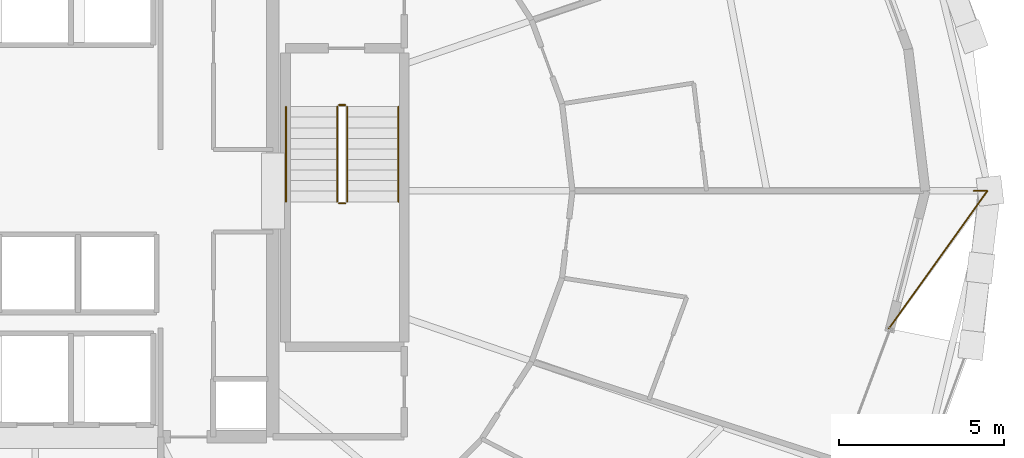
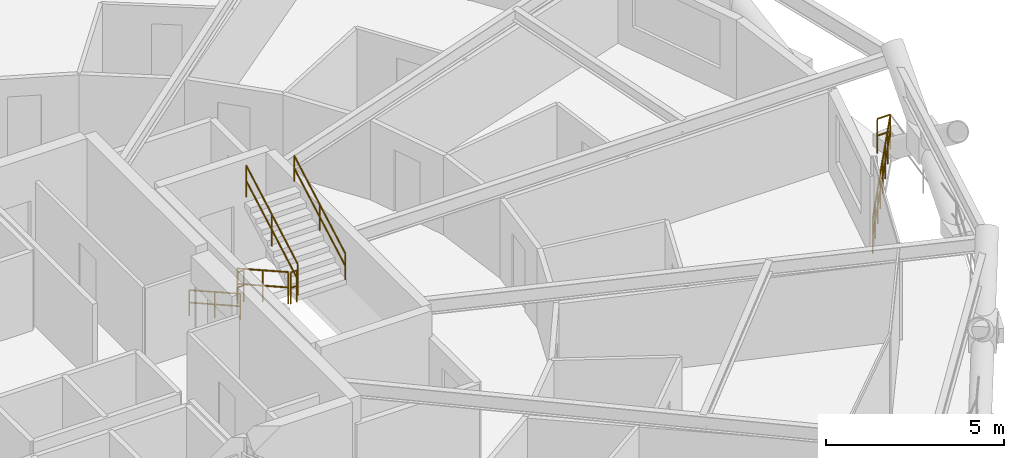
# One storey, part 21 of 21: 7 railings.
"""IFC4 building model written with IfcOpenShell, lengths in metres."""

from ifc_helpers import new_model, si_unit, direction, frame, origin, origin_2d, place, context, subcontext, project, spatial, circle, extrude, material, type_object, element, save


model = new_model("IFC4")

# Units and contexts
model_context = context("Model", 3, precision=1e-05, world=origin(), true_north=direction((0.0, 1.0)))
body_context = subcontext(model_context, "Body", "Model", "MODEL_VIEW")
ifc_project = project(units=[si_unit("LENGTHUNIT", "METRE"), si_unit("AREAUNIT", "SQUARE_METRE"), si_unit("VOLUMEUNIT", "CUBIC_METRE"), si_unit("PLANEANGLEUNIT", "RADIAN"), si_unit("MASSUNIT", "GRAM", prefix="KILO")], contexts=[model_context])

# Site, building, storey
site_placement = place(None, origin())
site = spatial("IfcSite", under=ifc_project, at=site_placement, CompositionType="ELEMENT")
building_placement = place(site_placement, origin())
building = spatial("IfcBuilding", under=site, at=building_placement, Name="Veldorina Hangang Commons", CompositionType="ELEMENT")
storey_placement = place(building_placement, frame((0.0, 0.0, 91.60009765625)))
storey = spatial("IfcBuildingStorey", under=building, at=storey_placement, Name="L23", CompositionType="ELEMENT", Elevation=91.60009765625)

# Railings
ifc_material_1 = material(Name="Glass Laminated Safety Balustrade", Category="glass")
railing_type_1 = type_object("IfcRailingType", Name="RL-BAL-LOGGIA", PredefinedType="BALUSTRADE", material=ifc_material_1)
railing_1_placement = place(storey_placement, frame((60.42138671875, 24.0, 0.0)))
element("IfcRailing", 1, at=railing_1_placement, inside=storey, type_object=railing_type_1, Name="L23 sky-garden loggia end balustrade B", PredefinedType="BALUSTRADE", context=body_context, shape_type="SweptSolid", body=[
    extrude(circle(Radius=0.02392578125, at=origin_2d()), frame((0.0, 0.0, 1.17578125), z_axis=(1.0, 0.0, 0.0), x_axis=(0.0, 1.0, 0.0)), (0.0, 0.0, 1.0), 0.420166015625),
    extrude(circle(Radius=0.02392578125, at=origin_2d()), frame((0.0, 0.0, 0.60009765625), z_axis=(1.0, 0.0, 0.0), x_axis=(0.0, 1.0, 0.0)), (0.0, 0.0, 1.0), 0.420166015625),
    extrude(circle(Radius=0.02392578125, at=origin_2d()), frame((0.420166015625, 0.0, 1.17578125), z_axis=(-0.581993949486, -0.813193115294, 0.0), x_axis=(0.813193115294, -0.581993949486, 0.0)), (0.0, 0.0, 1.0), 5.132080078125),
    extrude(circle(Radius=0.02392578125, at=origin_2d()), frame((0.420166015625, 0.0, 0.60009765625), z_axis=(-0.581993949486, -0.813193115294, 0.0), x_axis=(0.813193115294, -0.581993949486, 0.0)), (0.0, 0.0, 1.0), 5.132080078125),
    extrude(circle(Radius=0.02099609375, at=origin_2d()), origin(), (0.0, 0.0, 1.0), 1.15185546875),
    extrude(circle(Radius=0.02099609375, at=origin_2d()), frame((0.420166015625, 0.0, 0.0)), (0.0, 0.0, 1.0), 1.15185546875),
    extrude(circle(Radius=0.02099609375, at=origin_2d()), frame((-0.006591796875, -0.59619140625, 0.0)), (0.0, 0.0, 1.0), 1.15185546875),
    extrude(circle(Radius=0.02099609375, at=origin_2d()), frame((-0.43310546875, -1.1923828125, 0.0)), (0.0, 0.0, 1.0), 1.15185546875),
    extrude(circle(Radius=0.02099609375, at=origin_2d()), frame((-0.85986328125, -1.78857421875, 0.0)), (0.0, 0.0, 1.0), 1.15185546875),
    extrude(circle(Radius=0.02099609375, at=origin_2d()), frame((-1.28662109375, -2.384765625, 0.0)), (0.0, 0.0, 1.0), 1.15185546875),
    extrude(circle(Radius=0.02099609375, at=origin_2d()), frame((-1.71337890625, -2.98095703125, 0.0)), (0.0, 0.0, 1.0), 1.15185546875),
    extrude(circle(Radius=0.02099609375, at=origin_2d()), frame((-2.139892578125, -3.5771484375, 0.0)), (0.0, 0.0, 1.0), 1.15185546875),
    extrude(circle(Radius=0.02099609375, at=origin_2d()), frame((-2.566650390625, -4.17333984375, 0.0)), (0.0, 0.0, 1.0), 1.15185546875),
])
ifc_material_2 = material(Name="Steel Painted Balustrade", Category="steel")
railing_type_2 = type_object("IfcRailingType", Name="RL-GRD-STAIR", PredefinedType="GUARDRAIL", material=ifc_material_2)
railing_2_placement = place(storey_placement, frame((41.14990234375, 26.550048828125, 0.179931640625)))
element("IfcRailing", 2, at=railing_2_placement, inside=storey, type_object=railing_type_2, Name="L23 ST-2 stair guard 1", PredefinedType="GUARDRAIL", context=body_context, shape_type="SweptSolid", body=[
    extrude(circle(Radius=0.02392578125, at=origin_2d()), frame((0.0, 0.0, 1.076171875), z_axis=(0.0, -0.871601186807, 0.490215637405), x_axis=(1.0, 0.0, 0.0)), (0.0, 0.0, 1.0), 3.304443359375),
    extrude(circle(Radius=0.02392578125, at=origin_2d()), frame((0.0, 0.0, 0.550048828125), z_axis=(0.0, -0.871601186807, 0.490215637405), x_axis=(1.0, 0.0, 0.0)), (0.0, 0.0, 1.0), 3.304443359375),
    extrude(circle(Radius=0.02099609375, at=origin_2d()), origin(), (0.0, 0.0, 1.0), 1.052001953125),
    extrude(circle(Radius=0.02099609375, at=origin_2d()), frame((0.0, -1.43994140625, 0.81005859375)), (0.0, 0.0, 1.0), 1.052001953125),
    extrude(circle(Radius=0.02099609375, at=origin_2d()), frame((0.0, -2.880126953125, 1.619873046875)), (0.0, 0.0, 1.0), 1.052001953125),
])
railing_3_placement = place(storey_placement, frame((41.199951171875, 23.6201171875, 1.7998046875)))
element("IfcRailing", 3, at=railing_3_placement, inside=storey, type_object=railing_type_2, Name="L23 ST-2 stair guard 2", PredefinedType="GUARDRAIL", context=body_context, shape_type="SweptSolid", body=[
    extrude(circle(Radius=0.02392578125, at=origin_2d()), frame((0.0, 0.0, 1.076171875), z_axis=(1.0, 0.0, 0.0), x_axis=(0.0, 1.0, 0.0)), (0.0, 0.0, 1.0), 0.199951171875),
    extrude(circle(Radius=0.02392578125, at=origin_2d()), frame((0.0, 0.0, 0.550048828125), z_axis=(1.0, 0.0, 0.0), x_axis=(0.0, 1.0, 0.0)), (0.0, 0.0, 1.0), 0.199951171875),
    extrude(circle(Radius=0.02099609375, at=origin_2d()), origin(), (0.0, 0.0, 1.0), 1.052001953125),
    extrude(circle(Radius=0.02099609375, at=origin_2d()), frame((0.199951171875, 0.0, 0.0)), (0.0, 0.0, 1.0), 1.052001953125),
])
railing_4_placement = place(storey_placement, frame((41.449951171875, 23.669921875, 1.97998046875)))
element("IfcRailing", 4, at=railing_4_placement, inside=storey, type_object=railing_type_2, Name="L23 ST-2 stair guard 3", PredefinedType="GUARDRAIL", context=body_context, shape_type="SweptSolid", body=[
    extrude(circle(Radius=0.02392578125, at=origin_2d()), frame((0.0, 0.0, 1.076171875), z_axis=(0.0, 0.871601186807, 0.490215637405), x_axis=(-1.0, 0.0, 0.0)), (0.0, 0.0, 1.0), 3.304443359375),
    extrude(circle(Radius=0.02392578125, at=origin_2d()), frame((0.0, 0.0, 0.550048828125), z_axis=(0.0, 0.871601186807, 0.490215637405), x_axis=(-1.0, 0.0, 0.0)), (0.0, 0.0, 1.0), 3.304443359375),
    extrude(circle(Radius=0.02099609375, at=origin_2d()), origin(), (0.0, 0.0, 1.0), 1.052001953125),
    extrude(circle(Radius=0.02099609375, at=origin_2d()), frame((0.0, 1.43994140625, 0.81005859375)), (0.0, 0.0, 1.0), 1.052001953125),
    extrude(circle(Radius=0.02099609375, at=origin_2d()), frame((0.0, 2.880126953125, 1.619873046875)), (0.0, 0.0, 1.0), 1.052001953125),
])
railing_5_placement = place(storey_placement, frame((41.199951171875, 26.60009765625, 0.0)))
element("IfcRailing", 5, at=railing_5_placement, inside=storey, type_object=railing_type_2, Name="L23 ST-2 stair guard 4", PredefinedType="GUARDRAIL", context=body_context, shape_type="SweptSolid", body=[
    extrude(circle(Radius=0.02392578125, at=origin_2d()), frame((0.0, 0.0, 1.076171875), z_axis=(1.0, 0.0, 0.0), x_axis=(0.0, 1.0, 0.0)), (0.0, 0.0, 1.0), 0.199951171875),
    extrude(circle(Radius=0.02392578125, at=origin_2d()), frame((0.0, 0.0, 0.550048828125), z_axis=(1.0, 0.0, 0.0), x_axis=(0.0, 1.0, 0.0)), (0.0, 0.0, 1.0), 0.199951171875),
    extrude(circle(Radius=0.02099609375, at=origin_2d()), origin(), (0.0, 0.0, 1.0), 1.052001953125),
    extrude(circle(Radius=0.02099609375, at=origin_2d()), frame((0.199951171875, 0.0, 0.0)), (0.0, 0.0, 1.0), 1.052001953125),
])
ifc_material_3 = material(Name="Stainless Steel Brushed 316", Category="steel")
railing_type_3 = type_object("IfcRailingType", Name="RL-HND-STAIR", PredefinedType="HANDRAIL", material=ifc_material_3)
railing_6_placement = place(storey_placement, frame((39.60009765625, 26.550048828125, 0.179931640625)))
element("IfcRailing", 6, at=railing_6_placement, inside=storey, type_object=railing_type_3, Name="L23 ST-2 stair handrail 1", PredefinedType="HANDRAIL", context=body_context, shape_type="SweptSolid", body=[
    extrude(circle(Radius=0.02392578125, at=origin_2d()), frame((0.0, 0.0, 0.8759765625), z_axis=(0.0, -0.871601186807, 0.490215637405), x_axis=(1.0, 0.0, 0.0)), (0.0, 0.0, 1.0), 3.304443359375),
    extrude(circle(Radius=0.02392578125, at=origin_2d()), frame((0.0, 0.0, 0.449951171875), z_axis=(0.0, -0.871601186807, 0.490215637405), x_axis=(1.0, 0.0, 0.0)), (0.0, 0.0, 1.0), 3.304443359375),
    extrude(circle(Radius=0.02099609375, at=origin_2d()), origin(), (0.0, 0.0, 1.0), 0.851806640625),
    extrude(circle(Radius=0.02099609375, at=origin_2d()), frame((0.0, -1.43994140625, 0.81005859375)), (0.0, 0.0, 1.0), 0.851806640625),
    extrude(circle(Radius=0.02099609375, at=origin_2d()), frame((0.0, -2.880126953125, 1.619873046875)), (0.0, 0.0, 1.0), 0.851806640625),
])
railing_7_placement = place(storey_placement, frame((43.0, 23.669921875, 1.97998046875)))
element("IfcRailing", 7, at=railing_7_placement, inside=storey, type_object=railing_type_3, Name="L23 ST-2 stair handrail 2", PredefinedType="HANDRAIL", context=body_context, shape_type="SweptSolid", body=[
    extrude(circle(Radius=0.02392578125, at=origin_2d()), frame((0.0, 0.0, 0.8759765625), z_axis=(0.0, 0.871601186807, 0.490215637405), x_axis=(-1.0, 0.0, 0.0)), (0.0, 0.0, 1.0), 3.304443359375),
    extrude(circle(Radius=0.02392578125, at=origin_2d()), frame((0.0, 0.0, 0.449951171875), z_axis=(0.0, 0.871601186807, 0.490215637405), x_axis=(-1.0, 0.0, 0.0)), (0.0, 0.0, 1.0), 3.304443359375),
    extrude(circle(Radius=0.02099609375, at=origin_2d()), origin(), (0.0, 0.0, 1.0), 0.851806640625),
    extrude(circle(Radius=0.02099609375, at=origin_2d()), frame((0.0, 1.43994140625, 0.81005859375)), (0.0, 0.0, 1.0), 0.851806640625),
    extrude(circle(Radius=0.02099609375, at=origin_2d()), frame((0.0, 2.880126953125, 1.619873046875)), (0.0, 0.0, 1.0), 0.851806640625),
])

save(model, "model.ifc")
